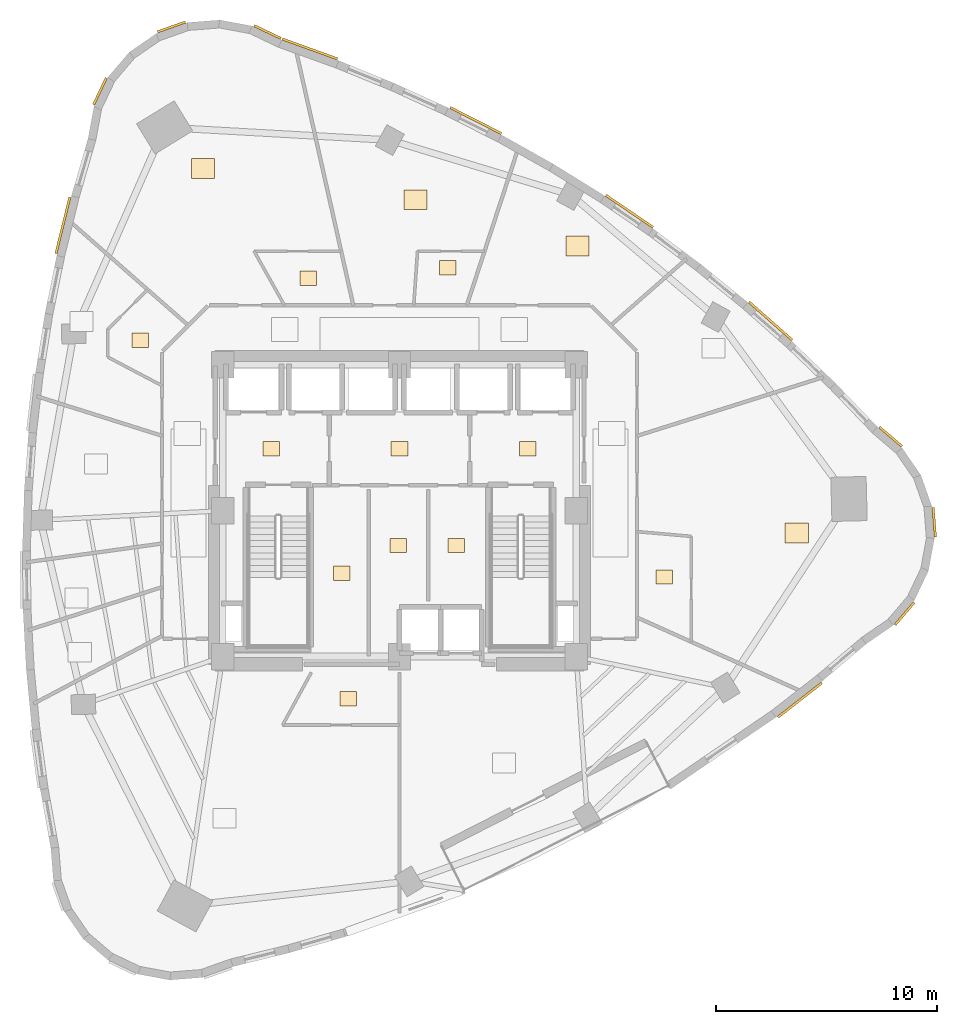
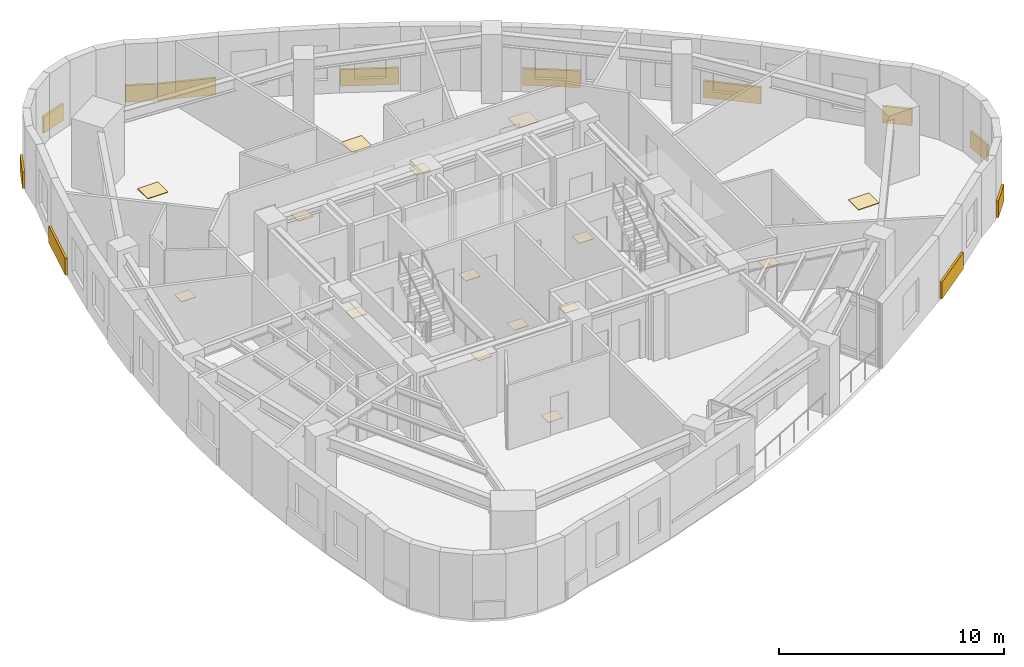
# One storey, part 11 of 11: 27 coverings.
"""IFC4 building model written with IfcOpenShell, lengths in metres."""

import ifcopenshell
import ifcopenshell.guid

model = None  # the IFC model being written
_history = None  # IfcOwnerHistory: only IFC2X3 demands one
_inside = {}  # id of a spatial element -> (the spatial element, [elements in it])
_under = {}  # id of a project, library or spatial element -> (it, [spatial elements below it])
_declared = {}  # id of a project -> (the project, [libraries it declares])
_typed = {}  # id of a type object -> (the type object, [elements of that type])
_made_of = {}  # id of a material, layer set ... -> (it, [elements and type objects made of it])


def new_model(schema):
    """Start an empty IFC model of exactly this schema.

    Asked for "IFC4X3", IfcOpenShell would pick the latest addendum, in which some entities
    have other attributes; the version numbers below select the first issue.
    IFC2X3 requires an IfcOwnerHistory on every rooted entity: one is made here for all.
    """
    global model, _history
    if schema == "IFC4X3":
        model = ifcopenshell.file(schema_version=(4, 3, 0, 0))
    else:
        model = ifcopenshell.file(schema=schema)
    _inside.clear()
    _under.clear()
    _declared.clear()
    _typed.clear()
    _made_of.clear()
    _history = None
    if model.schema == "IFC2X3":
        org = make("IfcOrganization", Name="unknown")
        user = make(
            "IfcPersonAndOrganization",
            ThePerson=make("IfcPerson", FamilyName="unknown"),
            TheOrganization=org,
        )
        app = make(
            "IfcApplication",
            ApplicationDeveloper=org,
            Version="unknown",
            ApplicationFullName="unknown",
            ApplicationIdentifier="unknown",
        )
        _history = make(
            "IfcOwnerHistory",
            OwningUser=user,
            OwningApplication=app,
            ChangeAction="ADDED",
            CreationDate=0,
        )
    return model


def make(cls, **values):
    """One entity of the class cls with the attributes given. An attribute that is None is left unset."""
    return model.create_entity(
        cls, **{name: value for name, value in values.items() if value is not None}
    )


def rooted(cls, **values):
    """An entity with a GlobalId (a new one), such as an element, a storey or a relation."""
    return make(cls, GlobalId=ifcopenshell.guid.new(), OwnerHistory=_history, **values)


def si_unit(unit_type, name, prefix=None):
    """IfcSIUnit, for example si_unit("LENGTHUNIT", "METRE", prefix="MILLI")."""
    return make("IfcSIUnit", UnitType=unit_type, Prefix=prefix, Name=name)


def assignment(units):
    """IfcUnitAssignment: the units of a project."""
    return None if units is None else make("IfcUnitAssignment", Units=units)


def point(xyz):
    """IfcCartesianPoint."""
    return None if xyz is None else make("IfcCartesianPoint", Coordinates=xyz)


def direction(xyz):
    """IfcDirection."""
    return None if xyz is None else make("IfcDirection", DirectionRatios=xyz)


def frame(location, z_axis=None, x_axis=None):
    """IfcAxis2Placement3D, a coordinate frame: its origin and axes. An axis left out is left unset."""
    return make(
        "IfcAxis2Placement3D",
        Location=point(location),
        Axis=direction(z_axis),
        RefDirection=direction(x_axis),
    )


def frame_2d(location, x_axis=None):
    """IfcAxis2Placement2D, a coordinate frame in the plane: its origin and x axis."""
    return make(
        "IfcAxis2Placement2D", Location=point(location), RefDirection=direction(x_axis)
    )


def origin():
    """The frame at (0, 0, 0) with its axes left unset."""
    return frame((0.0, 0.0, 0.0))


def origin_2d():
    """The frame at (0, 0) in the plane with its x axis left unset."""
    return frame_2d((0.0, 0.0))


def place(relative_to, where):
    """IfcLocalPlacement: puts the frame where relative to a parent placement (None: the world)."""
    return make(
        "IfcLocalPlacement", PlacementRelTo=relative_to, RelativePlacement=where
    )


def context(
    kind, dimensions, precision=None, world=None, true_north=None, identifier=None
):
    """IfcGeometricRepresentationContext, for example the 3D "Model" context."""
    return make(
        "IfcGeometricRepresentationContext",
        ContextIdentifier=identifier,
        ContextType=kind,
        CoordinateSpaceDimension=dimensions,
        Precision=precision,
        WorldCoordinateSystem=world,
        TrueNorth=true_north,
    )


def subcontext(parent, identifier, kind, view, scale=None):
    """IfcGeometricRepresentationSubContext, for example "Body" below "Model"."""
    return make(
        "IfcGeometricRepresentationSubContext",
        ContextIdentifier=identifier,
        ContextType=kind,
        ParentContext=parent,
        TargetScale=scale,
        TargetView=view,
    )


def project(units=None, contexts=None):
    """IfcProject with its units and contexts."""
    return rooted(
        "IfcProject",
        Name="project",
        RepresentationContexts=contexts,
        UnitsInContext=assignment(units),
    )


def spatial(cls, under=None, at=None, **own):
    """A site, building, storey or space (cls), placed at a placement, below another one or the project."""
    s = rooted(cls, ObjectPlacement=at, **own)
    if under is not None:
        _under.setdefault(under.id(), (under, []))[1].append(s)
    return s


def profile(cls, at=None, kind="AREA", **sizes):
    """A parametric profile (cls). Its sizes go by their IFC names, for example OverallWidth=200.0."""
    return make(cls, ProfileType=kind, Position=at, **sizes)


def rectangle(**sizes):
    """IfcRectangleProfileDef."""
    return profile("IfcRectangleProfileDef", **sizes)


def extrude(swept, where, along, depth):
    """IfcExtrudedAreaSolid: the profile swept, set in the frame where, extruded along a direction by depth."""
    return make(
        "IfcExtrudedAreaSolid",
        SweptArea=swept,
        Position=where,
        ExtrudedDirection=direction(along),
        Depth=depth,
    )


def shape(context_of_items, identifier, shape_type, items):
    """IfcShapeRepresentation: the items that make up one representation, for example the "Body"."""
    return make(
        "IfcShapeRepresentation",
        ContextOfItems=context_of_items,
        RepresentationIdentifier=identifier,
        RepresentationType=shape_type,
        Items=items,
    )


def material(Name=None, Category=None):
    """IfcMaterial."""
    return make("IfcMaterial", Name=Name, Category=Category)


def layer(
    of_material, thickness, ventilated=None, Name=None, Category=None, Priority=None
):
    """IfcMaterialLayer: one layer of a wall or slab, of a material (None: an air gap)."""
    return make(
        "IfcMaterialLayer",
        Material=of_material,
        LayerThickness=thickness,
        IsVentilated=ventilated,
        Name=Name,
        Category=Category,
        Priority=Priority,
    )


def layer_set(layers, Name=None):
    """IfcMaterialLayerSet."""
    return make("IfcMaterialLayerSet", MaterialLayers=layers, LayerSetName=Name)


def made_of(thing, what):
    """Note that an element or type object is made of a material, layer set ...; save() writes the relation."""
    if what is not None:
        _made_of.setdefault(what.id(), (what, []))[1].append(thing)
    return thing


def type_object(cls, material=None, **own):
    """A type object (cls), such as IfcWallType, which elements share."""
    return made_of(rooted(cls, **own), material)


def element(
    cls,
    number,
    at=None,
    inside=None,
    cuts=None,
    type_object=None,
    material=None,
    context=None,
    identifier="Body",
    shape_type=None,
    held_by="IfcProductDefinitionShape",
    body=None,
    shapes=None,
    **own,
):
    """One element of the class cls, such as IfcWall. Its Tag is "e" and its number.

    at: its placement. inside: the storey or other place that contains it. cuts: it is an
    opening in that element (IfcRelVoidsElement). A single representation is given by context,
    identifier, shape_type and body (its items); several are given by shapes. held_by: the class
    of the entity that holds the representations. save() writes the other relations.
    """
    e = rooted(cls, Tag="e%d" % number, ObjectPlacement=at, **own)
    if body is not None:
        shapes = [shape(context, identifier, shape_type, body)]
    if shapes is not None:
        e.Representation = make(held_by, Representations=shapes)
    if inside is not None:
        _inside.setdefault(inside.id(), (inside, []))[1].append(e)
    if cuts is not None:
        rooted(
            "IfcRelVoidsElement", RelatingBuildingElement=cuts, RelatedOpeningElement=e
        )
    if type_object is not None:
        _typed.setdefault(type_object.id(), (type_object, []))[1].append(e)
    return made_of(e, material)


def aggregate(whole, parts):
    """IfcRelAggregates: a whole, such as a stair, and the parts it consists of."""
    return rooted("IfcRelAggregates", RelatingObject=whole, RelatedObjects=parts)


def save(model, path):
    """Write the relations noted so far, then the file.

    IfcRelAggregates (storeys below a building ...), IfcRelContainedInSpatialStructure (elements
    in a storey), IfcRelDefinesByType, IfcRelAssociatesMaterial and IfcRelDeclares: one each for
    every whole, place, type object, material and project.
    """
    for whole, parts in _under.values():
        aggregate(whole, parts)
    for where, things in _inside.values():
        rooted(
            "IfcRelContainedInSpatialStructure",
            RelatedElements=things,
            RelatingStructure=where,
        )
    for kind, things in _typed.values():
        rooted("IfcRelDefinesByType", RelatedObjects=things, RelatingType=kind)
    for what, things in _made_of.values():
        rooted("IfcRelAssociatesMaterial", RelatedObjects=things, RelatingMaterial=what)
    for by, libraries in _declared.values():
        rooted("IfcRelDeclares", RelatingContext=by, RelatedDefinitions=libraries)
    model.write(path)


model = new_model("IFC4")

# Units and contexts
model_context = context("Model", 3, precision=1e-05, world=origin(), true_north=direction((0.0, 1.0)))
body_context = subcontext(model_context, "Body", "Model", "MODEL_VIEW")
ifc_project = project(units=[si_unit("LENGTHUNIT", "METRE"), si_unit("AREAUNIT", "SQUARE_METRE"), si_unit("VOLUMEUNIT", "CUBIC_METRE"), si_unit("PLANEANGLEUNIT", "RADIAN"), si_unit("MASSUNIT", "GRAM", prefix="KILO")], contexts=[model_context])

# Site, building, storey
site_placement = place(None, origin())
site = spatial("IfcSite", under=ifc_project, at=site_placement, CompositionType="ELEMENT")
building_placement = place(site_placement, origin())
building = spatial("IfcBuilding", under=site, at=building_placement, Name="Ndelora Gate Hotel", CompositionType="ELEMENT")
storey_placement = place(building_placement, frame((0.0, 0.0, 116.0)))
storey = spatial("IfcBuildingStorey", under=building, at=storey_placement, Name="L28", CompositionType="ELEMENT", Elevation=116.0)

# Coverings
ifc_material_1 = material(Name="Terracotta Fired Clay Brick Slip Cladding", Category="masonry")
ifc_layer_1 = layer(ifc_material_1, 0.110107421875)
ifc_layer_set_1 = layer_set([ifc_layer_1], Name="Terracotta Fired Clay Brick Slip Cladding")
covering_type_1 = type_object("IfcCoveringType", Name="COV-CLAD-BRK", PredefinedType="CLADDING", material=ifc_layer_set_1)
for number, where, z_axis, x_axis, name in (
    (1, (-5.97802734375, 21.669921875, 0.10009765625), (0.0, 0.0, 1.0), (-0.90258528435, 0.430511096808, 0.0), "L28 Rounded-Corner Brick Cladding Band 1"),
    (2, (-10.32421875, 21.897705078125, 0.10009765625), (0.0, 0.0, 1.0), (0.942641491092, 0.333806859234, 0.0), "L28 Rounded-Corner Brick Cladding Band 4"),
    (3, (-13.558837890625, 18.9853515625, 0.10009765625), (0.0, 0.0, 1.0), (0.430511096808, 0.90258528435, 0.0), "L28 Rounded-Corner Brick Cladding Band 7"),
):
    element("IfcCovering", number, at=place(storey_placement, frame(where, z_axis=z_axis, x_axis=x_axis)), inside=storey, type_object=covering_type_1, Name=name, PredefinedType="CLADDING", context=body_context, shape_type="SweptSolid", body=[
        extrude(rectangle(XDim=1.3359375, YDim=0.110107421875, at=origin_2d()), origin(), (0.0, 0.0, 1.0), 0.89990234375),
    ])
covering_1_placement = place(storey_placement, frame((-15.237060546875, 12.914306640625, 0.10009765625), z_axis=(0.0, 0.0, 1.0), x_axis=(0.239041909578, 0.971009250968, 0.0)))
element("IfcCovering", 4, at=covering_1_placement, inside=storey, type_object=covering_type_1, Name="L28 Rounded-Corner Brick Cladding Band 10", PredefinedType="CLADDING", context=body_context, shape_type="SweptSolid", body=[
    extrude(rectangle(XDim=2.626953125, YDim=0.110107421875, at=origin_2d()), origin(), (0.0, 0.0, 1.0), 0.89990234375),
])
covering_2_placement = place(storey_placement, frame((18.12548828125, -8.567138671875, 0.10009765625), z_axis=(0.0, 0.0, 1.0), x_axis=(0.788333005168, 0.615248789485, 0.0)))
element("IfcCovering", 5, at=covering_2_placement, inside=storey, type_object=covering_type_1, Name="L28 Rounded-Corner Brick Cladding Band 37", PredefinedType="CLADDING", context=body_context, shape_type="SweptSolid", body=[
    extrude(rectangle(XDim=2.52001953125, YDim=0.110107421875, at=origin_2d()), origin(), (0.0, 0.0, 1.0), 0.89990234375),
])
for number, where, z_axis, x_axis, name in (
    (6, (22.85888671875, -4.664306640625, 0.10009765625), (0.0, 0.0, 1.0), (0.64944804833, 0.7604059656, 0.0), "L28 Rounded-Corner Brick Cladding Band 40"),
    (7, (24.203857421875, -0.525390625, 0.10009765625), (0.0, 0.0, 1.0), (-0.078459095728, 0.996917333733, 0.0), "L28 Rounded-Corner Brick Cladding Band 43"),
    (8, (22.227783203125, 3.352783203125, 0.10009765625), (0.0, 0.0, 1.0), (-0.7604059656, 0.64944804833, 0.0), "L28 Rounded-Corner Brick Cladding Band 46"),
):
    element("IfcCovering", number, at=place(storey_placement, frame(where, z_axis=z_axis, x_axis=x_axis)), inside=storey, type_object=covering_type_1, Name=name, PredefinedType="CLADDING", context=body_context, shape_type="SweptSolid", body=[
        extrude(rectangle(XDim=1.3359375, YDim=0.110107421875, at=origin_2d()), origin(), (0.0, 0.0, 1.0), 0.89990234375),
    ])
covering_3_placement = place(storey_placement, frame((16.797119140625, 8.586181640625, 0.10009765625), z_axis=(0.0, 0.0, 1.0), x_axis=(-0.749418134297, 0.662097017051, 0.0)))
element("IfcCovering", 9, at=covering_3_placement, inside=storey, type_object=covering_type_1, Name="L28 Rounded-Corner Brick Cladding Band 49", PredefinedType="CLADDING", context=body_context, shape_type="SweptSolid", body=[
    extrude(rectangle(XDim=2.60791015625, YDim=0.110107421875, at=origin_2d()), origin(), (0.0, 0.0, 1.0), 0.89990234375),
])
covering_4_placement = place(storey_placement, frame((10.405517578125, 13.5546875, 0.10009765625), z_axis=(0.0, 0.0, 1.0), x_axis=(-0.826884319778, 0.562372049186, 0.0)))
element("IfcCovering", 10, at=covering_4_placement, inside=storey, type_object=covering_type_1, Name="L28 Rounded-Corner Brick Cladding Band 52", PredefinedType="CLADDING", context=body_context, shape_type="SweptSolid", body=[
    extrude(rectangle(XDim=2.580078125, YDim=0.110107421875, at=origin_2d()), origin(), (0.0, 0.0, 1.0), 0.89990234375),
])
covering_5_placement = place(storey_placement, frame((3.45361328125, 17.660400390625, 0.10009765625), z_axis=(0.0, 0.0, 1.0), x_axis=(-0.891560513111, 0.452901591366, 0.0)))
element("IfcCovering", 11, at=covering_5_placement, inside=storey, type_object=covering_type_1, Name="L28 Rounded-Corner Brick Cladding Band 55", PredefinedType="CLADDING", context=body_context, shape_type="SweptSolid", body=[
    extrude(rectangle(XDim=2.593994140625, YDim=0.110107421875, at=origin_2d()), origin(), (0.0, 0.0, 1.0), 0.89990234375),
])
covering_6_placement = place(storey_placement, frame((-4.0576171875, 20.90283203125, 0.10009765625), z_axis=(0.0, 0.0, 1.0), x_axis=(-0.940644056006, 0.339394696335, 0.0)))
element("IfcCovering", 12, at=covering_6_placement, inside=storey, type_object=covering_type_1, Name="L28 Rounded-Corner Brick Cladding Band 58", PredefinedType="CLADDING", context=body_context, shape_type="SweptSolid", body=[
    extrude(rectangle(XDim=2.65087890625, YDim=0.110107421875, at=origin_2d()), origin(), (0.0, 0.0, 1.0), 0.89990234375),
])
ifc_material_2 = material(Name="Engineered Highland Oak Parquet", Category="wood")
ifc_layer_2 = layer(ifc_material_2, 0.030029296875)
ifc_layer_set_2 = layer_set([ifc_layer_2], Name="Engineered Highland Oak Parquet")
covering_type_2 = type_object("IfcCoveringType", Name="COV-FLR-PARQ", PredefinedType="FLOORING", material=ifc_layer_set_2)
for number, where, z_axis, x_axis, name in (
    (13, (17.982421875, -1.013427734375, 0.0), (0.0, 0.0, 1.0), (1.0, 0.0, 0.0), "L28 Club King Junior Suite 3102 Oak Parquet Flooring"),
    (14, (8.057861328125, 11.989990234375, 0.0), (0.0, 0.0, 1.0), (1.0, 0.0, 0.0), "L28 Diplomatic Meeting Room Oak Parquet Flooring"),
    (15, (0.72216796875, 14.077392578125, 0.0), (0.0, 0.0, 1.0), (1.0, 0.0, 0.0), "L28 Panoramic South Diplomatic Suite 3103 Oak Parquet Flooring"),
    (16, (-8.894287109375, 15.4931640625, 0.0), (0.0, 0.0, 1.0), (1.0, 0.0, 0.0), "L28 Corner Club Suite 3104 Oak Parquet Flooring"),
):
    element("IfcCovering", number, at=place(storey_placement, frame(where, z_axis=z_axis, x_axis=x_axis)), inside=storey, type_object=covering_type_2, Name=name, PredefinedType="FLOORING", context=body_context, shape_type="SweptSolid", body=[
        extrude(rectangle(XDim=1.050048828125, YDim=0.89990234375, at=origin_2d()), origin(), (0.0, 0.0, 1.0), 0.030029296875),
    ])
ifc_material_3 = material(Name="Non-Slip Porcelain Wet-Room Tile", Category="ceramic")
ifc_layer_3 = layer(ifc_material_3, 0.02490234375)
ifc_layer_set_3 = layer_set([ifc_layer_3], Name="Non-Slip Porcelain Wet-Room Tile")
covering_type_3 = type_object("IfcCoveringType", Name="COV-FLR-TILE", PredefinedType="FLOORING", material=ifc_layer_set_3)
for number, where, z_axis, x_axis, name in (
    (17, (-5.800048828125, 2.800048828125, 0.0), (0.0, 0.0, 1.0), (1.0, 0.0, 0.0), "L28 Firefighting Lift Lobby West Porcelain Tile Flooring"),
    (18, (5.800048828125, 2.800048828125, 0.0), (0.0, 0.0, 1.0), (1.0, 0.0, 0.0), "L28 Firefighting Lift Lobby East Porcelain Tile Flooring"),
    (19, (0.0, 2.800048828125, 0.0), (0.0, 0.0, 1.0), (1.0, 0.0, 0.0), "L28 Central Passenger Lift Lobby Porcelain Tile Flooring"),
    (20, (-2.625, -2.824951171875, 0.0), (0.0, 0.0, 1.0), (1.0, 0.0, 0.0), "L28 Core Cleaners Store Porcelain Tile Flooring"),
    (21, (-0.050048828125, -1.574951171875, 0.0), (0.0, 0.0, 1.0), (1.0, 0.0, 0.0), "L28 Core Telecoms Equipment Room Porcelain Tile Flooring"),
    (22, (2.574951171875, -1.574951171875, 0.0), (0.0, 0.0, 1.0), (1.0, 0.0, 0.0), "L28 Core Electrical Metering Room Porcelain Tile Flooring"),
    (23, (-2.318359375, -8.510009765625, 0.0), (0.0, 0.0, 1.0), (1.0, 0.0, 0.0), "L28 En-suite Bathroom 3101 Porcelain Tile Flooring"),
    (24, (11.97509765625, -3.001220703125, 0.0), (0.0, 0.0, 1.0), (1.0, 0.0, 0.0), "L28 En-suite Bathroom 3102 Porcelain Tile Flooring"),
    (25, (2.181884765625, 11.000732421875, 0.0), (0.0, 0.0, 1.0), (1.0, 0.0, 0.0), "L28 En-suite Bathroom 3103 Porcelain Tile Flooring"),
    (26, (-4.12939453125, 10.52490234375, 0.0), (0.0, 0.0, 1.0), (1.0, 0.0, 0.0), "L28 En-suite Bathroom 3104 Porcelain Tile Flooring"),
    (27, (-11.7265625, 7.71337890625, 0.0), (0.0, 0.0, 1.0), (1.0, 0.0, 0.0), "L28 En-suite Bathroom 3105 Porcelain Tile Flooring"),
):
    element("IfcCovering", number, at=place(storey_placement, frame(where, z_axis=z_axis, x_axis=x_axis)), inside=storey, type_object=covering_type_3, Name=name, PredefinedType="FLOORING", context=body_context, shape_type="SweptSolid", body=[
        extrude(rectangle(XDim=0.75, YDim=0.64990234375, at=origin_2d()), origin(), (0.0, 0.0, 1.0), 0.02490234375),
    ])

save(model, "model.ifc")
